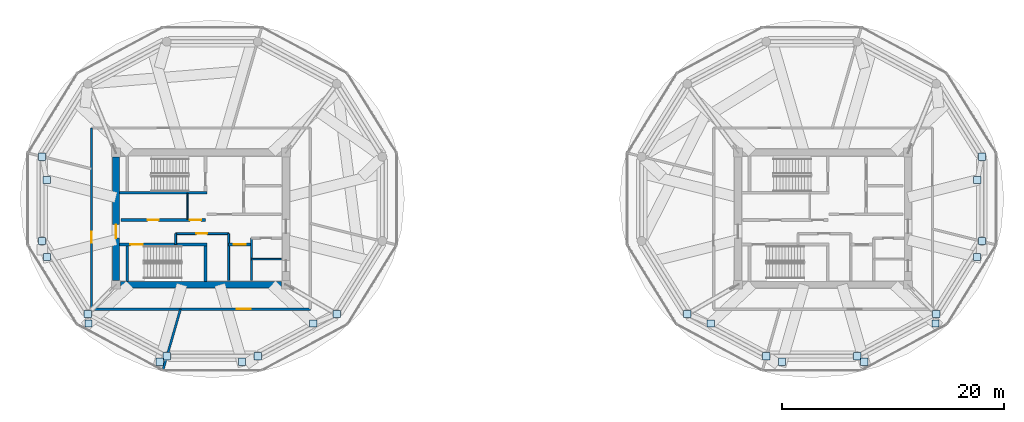
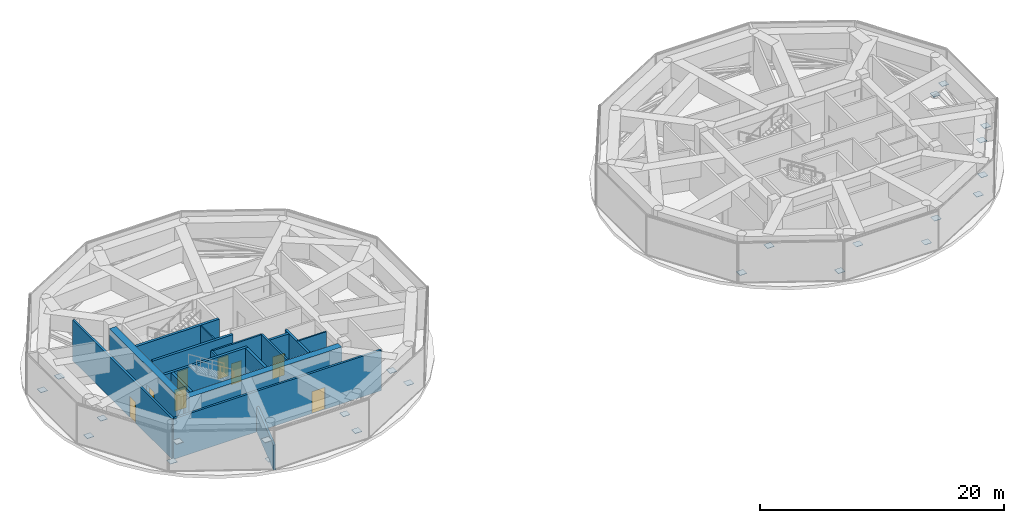
# One storey, part 13 of 20: 24 plates, 17 walls, 8 doors, 8 openings.
"""IFC4 building model written with IfcOpenShell, lengths in metres."""

from ifc_helpers import new_model, si_unit, direction, frame, frame_2d, origin, origin_2d, place, context, subcontext, project, spatial, rectangle, extrude, source, transform, mapped, material, layer, layer_set, type_object, type_shapes, element, fill, save


model = new_model("IFC4")

# Units and contexts
model_context = context("Model", 3, precision=1e-05, world=origin(), true_north=direction((0.0, 1.0)))
body_context = subcontext(model_context, "Body", "Model", "MODEL_VIEW")
ifc_project = project(units=[si_unit("LENGTHUNIT", "METRE"), si_unit("AREAUNIT", "SQUARE_METRE"), si_unit("VOLUMEUNIT", "CUBIC_METRE"), si_unit("PLANEANGLEUNIT", "RADIAN"), si_unit("MASSUNIT", "GRAM", prefix="KILO")], contexts=[model_context])

# Site, building, storey
site_placement = place(None, origin())
site = spatial("IfcSite", under=ifc_project, at=site_placement, CompositionType="ELEMENT")
building_placement = place(site_placement, origin())
building = spatial("IfcBuilding", under=site, at=building_placement, Name="Norrkilde Senior Care Towers", CompositionType="ELEMENT")
storey_placement = place(building_placement, frame((0.0, 0.0, 186.14990234375)))
storey = spatial("IfcBuildingStorey", under=building, at=storey_placement, Name="L58", CompositionType="ELEMENT", Elevation=186.14990234375)

# Plates
ifc_material_1 = material(Name="Steel S355", Category="steel")
ifc_layer_1 = layer(ifc_material_1, 0.034912109375)
ifc_layer_set_1 = layer_set([ifc_layer_1], Name="Steel S355")
plate_type = type_object("IfcPlateType", Name="Truss Node Gusset Plate 35", PredefinedType="USERDEFINED", material=ifc_layer_set_1)
shared_shape_1 = source(origin(), body_context, "Body", "SweptSolid", [
    extrude(rectangle(XDim=0.64990234375, YDim=0.64990234375, at=origin_2d()), origin(), (0.0, 0.0, 1.0), 0.034912109375),
])
type_shapes(plate_type, [shared_shape_1])
for number, where, z_axis, x_axis, name in (
    (1, (-42.284912109375, 5.567138671875, 0.1328125), (0.0, 0.0, 1.0), (1.0, 0.0, 0.0), "L58 Drum W Zone Strut 06 Lower Gusset Plate"),
    (2, (-41.87744140625, 3.46630859375, 2.61279296875), (0.0, 0.0, 1.0), (1.0, 0.0, 0.0), "L58 Drum W Zone Strut 06 Upper Gusset Plate"),
    (3, (-42.284912109375, -2.016357421875, 0.1328125), (0.0, 0.0, 1.0), (1.0, 0.0, 0.0), "L58 Drum W Zone Strut 07 Lower Gusset Plate"),
    (4, (-41.83984375, -3.45703125, 2.61279296875), (0.0, 0.0, 1.0), (1.0, 0.0, 0.0), "L58 Drum W Zone Strut 07 Upper Gusset Plate"),
    (5, (-38.1826171875, -8.583740234375, 0.1328125), (0.0, 0.0, 1.0), (1.0, 0.0, 0.0), "L58 Drum W Zone Strut 08 Lower Gusset Plate"),
    (6, (-38.12255859375, -9.436279296875, 2.61279296875), (0.0, 0.0, 1.0), (1.0, 0.0, 0.0), "L58 Drum W Zone Strut 08 Upper Gusset Plate"),
    (7, (-31.077392578125, -12.37548828125, 0.1328125), (0.0, 0.0, 1.0), (1.0, 0.0, 0.0), "L58 Drum W Zone Strut 09 Lower Gusset Plate"),
    (8, (-31.70166015625, -12.8779296875, 2.61279296875), (0.0, 0.0, 1.0), (1.0, 0.0, 0.0), "L58 Drum W Zone Strut 09 Upper Gusset Plate"),
    (9, (-22.872802734375, -12.37548828125, 0.1328125), (0.0, 0.0, 1.0), (1.0, 0.0, 0.0), "L58 Drum W Zone Strut 10 Lower Gusset Plate"),
    (10, (-24.29833984375, -12.8779296875, 2.61279296875), (0.0, 0.0, 1.0), (1.0, 0.0, 0.0), "L58 Drum W Zone Strut 10 Upper Gusset Plate"),
    (11, (-15.767333984375, -8.583740234375, 0.1328125), (0.0, 0.0, 1.0), (1.0, 0.0, 0.0), "L58 Drum W Zone Strut 11 Lower Gusset Plate"),
    (12, (-17.87744140625, -9.436279296875, 2.61279296875), (0.0, 0.0, 1.0), (1.0, 0.0, 0.0), "L58 Drum W Zone Strut 11 Upper Gusset Plate"),
    (13, (42.284912109375, 5.567138671875, 0.1328125), (0.0, 0.0, 1.0), (1.0, 0.0, 0.0), "L58 Drum E Zone Strut 01 Lower Gusset Plate"),
    (14, (41.87744140625, 3.46630859375, 2.61279296875), (0.0, 0.0, 1.0), (1.0, 0.0, 0.0), "L58 Drum E Zone Strut 01 Upper Gusset Plate"),
    (15, (15.767333984375, -8.583740234375, 0.1328125), (0.0, 0.0, 1.0), (1.0, 0.0, 0.0), "L58 Drum E Zone Strut 08 Lower Gusset Plate"),
    (16, (17.87744140625, -9.436279296875, 2.61279296875), (0.0, 0.0, 1.0), (1.0, 0.0, 0.0), "L58 Drum E Zone Strut 08 Upper Gusset Plate"),
    (17, (22.872802734375, -12.37548828125, 0.1328125), (0.0, 0.0, 1.0), (1.0, 0.0, 0.0), "L58 Drum E Zone Strut 09 Lower Gusset Plate"),
    (18, (24.29833984375, -12.8779296875, 2.61279296875), (0.0, 0.0, 1.0), (1.0, 0.0, 0.0), "L58 Drum E Zone Strut 09 Upper Gusset Plate"),
    (19, (31.077392578125, -12.37548828125, 0.1328125), (0.0, 0.0, 1.0), (1.0, 0.0, 0.0), "L58 Drum E Zone Strut 10 Lower Gusset Plate"),
    (20, (31.70166015625, -12.8779296875, 2.61279296875), (0.0, 0.0, 1.0), (1.0, 0.0, 0.0), "L58 Drum E Zone Strut 10 Upper Gusset Plate"),
    (21, (38.1826171875, -8.583740234375, 0.1328125), (0.0, 0.0, 1.0), (1.0, 0.0, 0.0), "L58 Drum E Zone Strut 11 Lower Gusset Plate"),
    (22, (38.12255859375, -9.436279296875, 2.61279296875), (0.0, 0.0, 1.0), (1.0, 0.0, 0.0), "L58 Drum E Zone Strut 11 Upper Gusset Plate"),
    (23, (42.284912109375, -2.016357421875, 0.1328125), (0.0, 0.0, 1.0), (1.0, 0.0, 0.0), "L58 Drum E Zone Strut 12 Lower Gusset Plate"),
    (24, (41.83984375, -3.45703125, 2.61279296875), (0.0, 0.0, 1.0), (1.0, 0.0, 0.0), "L58 Drum E Zone Strut 12 Upper Gusset Plate"),
):
    element("IfcPlate", number, at=place(storey_placement, frame(where, z_axis=z_axis, x_axis=x_axis)), inside=storey, type_object=plate_type, Name=name, ObjectType="GUSSET_PLATE", PredefinedType="USERDEFINED", context=body_context, shape_type="MappedRepresentation", body=[
        mapped(shared_shape_1, transform((0.0, 0.0, 0.0), x_axis=(1.0, 0.0, 0.0), y_axis=(0.0, 1.0, 0.0), z_axis=(0.0, 0.0, 1.0), scale=1.0)),
    ])

# Wall
ifc_material_2 = material(Name="Concrete C50/60", Category="concrete")
ifc_layer_2 = layer(ifc_material_2, 0.6201171875)
ifc_layer_set_2 = layer_set([ifc_layer_2], Name="Concrete C50/60")
wall_type_1 = type_object("IfcWallType", Name="Core Shear Wall Z3 620", PredefinedType="SHEAR", material=ifc_layer_set_2)
shared_shape_2 = source(origin(), body_context, "Body", "SweptSolid", [
    extrude(rectangle(XDim=14.5, YDim=0.6201171875, at=frame_2d((7.25, 0.0))), origin(), (0.0, 0.0, 1.0), 4.080078125),
])
wall_1_placement = place(storey_placement, frame((-20.75, -5.949951171875, 0.0), z_axis=(0.0, 0.0, 1.0), x_axis=(-1.0, 0.0, 0.0)))
element("IfcWall", 25, at=wall_1_placement, inside=storey, type_object=wall_type_1, Name="L58 Core W South Shear Wall", PredefinedType="SHEAR", context=body_context, shape_type="MappedRepresentation", body=[
    mapped(shared_shape_2, transform((0.0, 0.0, 0.0), x_axis=(1.0, 0.0, 0.0), y_axis=(0.0, 1.0, 0.0), z_axis=(0.0, 0.0, 1.0), scale=1.0)),
])

# Wall, opening, door
shared_shape_3 = source(origin(), body_context, "Body", "SweptSolid", [
    extrude(rectangle(XDim=11.10009765625, YDim=0.6201171875, at=frame_2d((5.550048828125, 0.0))), origin(), (0.0, 0.0, 1.0), 4.080078125),
])
type_shapes(wall_type_1, [shared_shape_2, shared_shape_3])
wall_2_placement = place(storey_placement, frame((-35.64990234375, -5.550048828125, 0.0), z_axis=(0.0, 0.0, 1.0), x_axis=(0.0, 1.0, 0.0)))
wall_2 = element("IfcWall", 26, at=wall_2_placement, inside=storey, type_object=wall_type_1, Name="L58 Core W West Shear Wall", PredefinedType="SHEAR", context=body_context, shape_type="MappedRepresentation", body=[
    mapped(shared_shape_3, transform((0.0, 0.0, 0.0), x_axis=(1.0, 0.0, 0.0), y_axis=(0.0, 1.0, 0.0), z_axis=(0.0, 0.0, 1.0), scale=1.0)),
])
opening_1_placement = place(wall_2_placement, frame((3.800048828125, 0.0, 0.0)))
opening_1 = element("IfcOpeningElement", 27, at=opening_1_placement, cuts=wall_2, Name="Opening D-04", PredefinedType="OPENING", context=body_context, shape_type="SweptSolid", body=[
    extrude(rectangle(XDim=1.199951171875, YDim=2.14990234375, at=frame_2d((0.60009765625, 1.074951171875))), frame((0.0, 0.320068359375, 0.0), z_axis=(0.0, -1.0, 0.0), x_axis=(1.0, 0.0, 0.0)), (0.0, 0.0, 1.0), 0.64013671875),
])
ifc_material_3 = material(Name="Galvanised Painted Steel", Category="steel")
door_type_1 = type_object("IfcDoorType", Name="Firefighting Lobby Fire Door 1200x2150", OperationType="NOTDEFINED", PredefinedType="DOOR", material=ifc_material_3)
shared_shape_4 = source(origin(), body_context, "Body", "SweptSolid", [
    extrude(rectangle(XDim=1.199951171875, YDim=2.14990234375, at=frame_2d((0.60009765625, 1.074951171875))), frame((0.0, 0.02490234375, 0.0), z_axis=(0.0, -1.0, 0.0), x_axis=(1.0, 0.0, 0.0)), (0.0, 0.0, 1.0), 0.050048828125),
])
type_shapes(door_type_1, [shared_shape_4])
door_1_placement = place(opening_1_placement, frame((1.199951171875, 0.0, 0.0), z_axis=(0.0, 0.0, 1.0), x_axis=(-1.0, 0.0, 0.0)))
door_1 = element("IfcDoor", 28, at=door_1_placement, inside=storey, type_object=door_type_1, Name="L58 Core W West Portal Door", OperationType="SINGLE_SWING_LEFT", OverallHeight=2.14990234375, OverallWidth=1.199951171875, PredefinedType="DOOR", context=body_context, shape_type="MappedRepresentation", body=[
    mapped(shared_shape_4, transform((0.0, 0.0, 0.0), x_axis=(1.0, 0.0, 0.0), y_axis=(0.0, 1.0, 0.0), z_axis=(0.0, 0.0, 1.0), scale=1.0)),
])
fill(opening_1, door_1)

# Wall
ifc_material_4 = material(Name="Concrete C45/55", Category="concrete")
ifc_layer_3 = layer(ifc_material_4, 0.239990234375)
ifc_layer_set_3 = layer_set([ifc_layer_3], Name="Concrete C45/55")
wall_type_2 = type_object("IfcWallType", Name="Shaft and Stair Enclosure Wall 240", PredefinedType="PARTITIONING", material=ifc_layer_set_3)
shared_shape_5 = source(origin(), body_context, "Body", "SweptSolid", [
    extrude(rectangle(XDim=7.880126953125, YDim=0.239990234375, at=frame_2d((3.93994140625, 0.0))), origin(), (0.0, 0.0, 1.0), 4.080078125),
])
wall_3_placement = place(storey_placement, frame((-35.340087890625, 2.330078125, 0.0), z_axis=(0.0, 0.0, 1.0), x_axis=(1.0, 0.0, 0.0)))
element("IfcWall", 29, at=wall_3_placement, inside=storey, type_object=wall_type_2, Name="WL-INT-L58-W-ST1S", PredefinedType="PARTITIONING", context=body_context, shape_type="MappedRepresentation", body=[
    mapped(shared_shape_5, transform((0.0, 0.0, 0.0), x_axis=(1.0, 0.0, 0.0), y_axis=(0.0, 1.0, 0.0), z_axis=(0.0, 0.0, 1.0), scale=1.0)),
])

# Wall, opening, door
wall_4_placement = place(storey_placement, frame((-35.340087890625, -2.330078125, 0.0), z_axis=(0.0, 0.0, 1.0), x_axis=(1.0, 0.0, 0.0)))
wall_4 = element("IfcWall", 30, at=wall_4_placement, inside=storey, type_object=wall_type_2, Name="WL-INT-L58-W-ST2N", PredefinedType="PARTITIONING", context=body_context, shape_type="MappedRepresentation", body=[
    mapped(shared_shape_5, transform((0.0, 0.0, 0.0), x_axis=(1.0, 0.0, 0.0), y_axis=(0.0, 1.0, 0.0), z_axis=(0.0, 0.0, 1.0), scale=1.0)),
])
opening_2_placement = place(wall_4_placement, frame((1.0, 0.0, 0.0)))
opening_2 = element("IfcOpeningElement", 31, at=opening_2_placement, cuts=wall_4, Name="Opening D-03", PredefinedType="OPENING", context=body_context, shape_type="SweptSolid", body=[
    extrude(rectangle(XDim=1.10009765625, YDim=2.14990234375, at=frame_2d((0.550048828125, 1.074951171875))), frame((0.0, 0.1298828125, 0.0), z_axis=(0.0, -1.0, 0.0), x_axis=(1.0, 0.0, 0.0)), (0.0, 0.0, 1.0), 0.260009765625),
])
door_type_2 = type_object("IfcDoorType", Name="Stairwell Protected Fire Door 1100x2150", OperationType="NOTDEFINED", PredefinedType="DOOR", material=ifc_material_3)
shared_shape_6 = source(origin(), body_context, "Body", "SweptSolid", [
    extrude(rectangle(XDim=1.10009765625, YDim=2.14990234375, at=frame_2d((0.550048828125, 1.074951171875))), frame((0.0, 0.02490234375, 0.0), z_axis=(0.0, -1.0, 0.0), x_axis=(1.0, 0.0, 0.0)), (0.0, 0.0, 1.0), 0.050048828125),
])
type_shapes(door_type_2, [shared_shape_6])
door_2_placement = place(opening_2_placement, frame((1.10009765625, 0.0, 0.0), z_axis=(0.0, 0.0, 1.0), x_axis=(-1.0, 0.0, 0.0)))
door_2 = element("IfcDoor", 32, at=door_2_placement, inside=storey, type_object=door_type_2, Name="L58 Stair W2 Fire Door", OperationType="SINGLE_SWING_RIGHT", OverallHeight=2.14990234375, OverallWidth=1.10009765625, PredefinedType="DOOR", context=body_context, shape_type="MappedRepresentation", body=[
    mapped(shared_shape_6, transform((0.0, 0.0, 0.0), x_axis=(1.0, 0.0, 0.0), y_axis=(0.0, 1.0, 0.0), z_axis=(0.0, 0.0, 1.0), scale=1.0)),
])
fill(opening_2, door_2)

# Walls
shared_shape_7 = source(origin(), body_context, "Body", "SweptSolid", [
    extrude(rectangle(XDim=3.18994140625, YDim=0.239990234375, at=frame_2d((1.594970703125, 0.0))), origin(), (0.0, 0.0, 1.0), 4.080078125),
])
type_shapes(wall_type_2, [shared_shape_5, shared_shape_7])
for number, where, z_axis, x_axis, name in (
    (33, (-34.6201171875, -5.639892578125, 0.0), (0.0, 0.0, 1.0), (0.0, 1.0, 0.0), "WL-INT-L58-W-ST2W"),
    (34, (-27.580078125, -5.639892578125, 0.0), (0.0, 0.0, 1.0), (0.0, 1.0, 0.0), "WL-INT-L58-W-ST2E"),
):
    element("IfcWall", number, at=place(storey_placement, frame(where, z_axis=z_axis, x_axis=x_axis)), inside=storey, type_object=wall_type_2, Name=name, PredefinedType="PARTITIONING", context=body_context, shape_type="MappedRepresentation", body=[
        mapped(shared_shape_7, transform((0.0, 0.0, 0.0), x_axis=(1.0, 0.0, 0.0), y_axis=(0.0, 1.0, 0.0), z_axis=(0.0, 0.0, 1.0), scale=1.0)),
    ])

# Wall, openings, doors
ifc_layer_4 = layer(ifc_material_4, 0.239990234375)
ifc_layer_set_4 = layer_set([ifc_layer_4], Name="Concrete C45/55")
wall_type_3 = type_object("IfcWallType", Name="Lift and Plant Rated Enclosure Partition 240", PredefinedType="PARTITIONING", material=ifc_layer_set_4)
shared_shape_8 = source(origin(), body_context, "Body", "SweptSolid", [
    extrude(rectangle(XDim=7.619873046875, YDim=0.239990234375, at=frame_2d((3.81005859375, 0.0))), origin(), (0.0, 0.0, 1.0), 4.065185546875),
])
wall_5_placement = place(storey_placement, frame((-35.199951171875, -0.1298828125, 0.0), z_axis=(0.0, 0.0, 1.0), x_axis=(1.0, 0.0, 0.0)))
wall_5 = element("IfcWall", 35, at=wall_5_placement, inside=storey, type_object=wall_type_3, Name="WL-INT-L58-W-PKAS", PredefinedType="PARTITIONING", context=body_context, shape_type="MappedRepresentation", body=[
    mapped(shared_shape_8, transform((0.0, 0.0, 0.0), x_axis=(1.0, 0.0, 0.0), y_axis=(0.0, 1.0, 0.0), z_axis=(0.0, 0.0, 1.0), scale=1.0)),
])
opening_3_placement = place(wall_5_placement, frame((6.219970703125, 0.0, 0.0)))
opening_3 = element("IfcOpeningElement", 36, at=opening_3_placement, cuts=wall_5, Name="Opening D-10", PredefinedType="OPENING", context=body_context, shape_type="SweptSolid", body=[
    extrude(rectangle(XDim=1.0, YDim=2.10009765625, at=frame_2d((0.5, 1.050048828125))), frame((0.0, 0.1298828125, 0.0), z_axis=(0.0, -1.0, 0.0), x_axis=(1.0, 0.0, 0.0)), (0.0, 0.0, 1.0), 0.260009765625),
])
opening_4_placement = place(wall_5_placement, frame((2.39990234375, 0.0, 0.0)))
opening_4 = element("IfcOpeningElement", 37, at=opening_4_placement, cuts=wall_5, Name="Opening D-10", PredefinedType="OPENING", context=body_context, shape_type="SweptSolid", body=[
    extrude(rectangle(XDim=1.0, YDim=2.10009765625, at=frame_2d((0.5, 1.050048828125))), frame((0.0, 0.1298828125, 0.0), z_axis=(0.0, -1.0, 0.0), x_axis=(1.0, 0.0, 0.0)), (0.0, 0.0, 1.0), 0.260009765625),
])
door_type_3 = type_object("IfcDoorType", Name="Plant and Riser Rated Door 1000x2100", OperationType="NOTDEFINED", PredefinedType="DOOR", material=ifc_material_3)
shared_shape_9 = source(origin(), body_context, "Body", "SweptSolid", [
    extrude(rectangle(XDim=1.0, YDim=2.10009765625, at=frame_2d((0.5, 1.050048828125))), frame((0.0, 0.02490234375, 0.0), z_axis=(0.0, -1.0, 0.0), x_axis=(1.0, 0.0, 0.0)), (0.0, 0.0, 1.0), 0.050048828125),
])
type_shapes(door_type_3, [shared_shape_9])
door_3_placement = place(opening_3_placement, frame((1.0, 0.0, 0.0), z_axis=(0.0, 0.0, 1.0), x_axis=(-1.0, 0.0, 0.0)))
door_3 = element("IfcDoor", 38, at=door_3_placement, inside=storey, type_object=door_type_3, Name="L58 Electrical Riser W Door", OperationType="SINGLE_SWING_LEFT", OverallHeight=2.10009765625, OverallWidth=1.0, PredefinedType="DOOR", context=body_context, shape_type="MappedRepresentation", body=[
    mapped(shared_shape_9, transform((0.0, 0.0, 0.0), x_axis=(1.0, 0.0, 0.0), y_axis=(0.0, 1.0, 0.0), z_axis=(0.0, 0.0, 1.0), scale=1.0)),
])
fill(opening_3, door_3)
door_4_placement = place(opening_4_placement, frame((1.0, 0.0, 0.0), z_axis=(0.0, 0.0, 1.0), x_axis=(-1.0, 0.0, 0.0)))
door_4 = element("IfcDoor", 39, at=door_4_placement, inside=storey, type_object=door_type_3, Name="L58 Clean Supply Store W Door", OperationType="SINGLE_SWING_LEFT", OverallHeight=2.10009765625, OverallWidth=1.0, PredefinedType="DOOR", context=body_context, shape_type="MappedRepresentation", body=[
    mapped(shared_shape_9, transform((0.0, 0.0, 0.0), x_axis=(1.0, 0.0, 0.0), y_axis=(0.0, 1.0, 0.0), z_axis=(0.0, 0.0, 1.0), scale=1.0)),
])
fill(opening_4, door_4)

# Walls
ifc_material_5 = material(Name="Gypsum Acoustic Board")
ifc_layer_5 = layer(ifc_material_5, 0.114990234375)
ifc_layer_set_5 = layer_set([ifc_layer_5], Name="Gypsum Acoustic Board")
wall_type_4 = type_object("IfcWallType", Name="Internal Room Partition 115", PredefinedType="PARTITIONING", material=ifc_layer_set_5)
shared_shape_10 = source(origin(), body_context, "Body", "SweptSolid", [
    extrude(rectangle(XDim=2.330078125, YDim=0.114990234375, at=frame_2d((1.1650390625, 0.0))), origin(), (0.0, 0.0, 1.0), 4.065185546875),
])
type_shapes(wall_type_4, [shared_shape_10])
wall_6_placement = place(storey_placement, frame((-29.2099609375, -0.050048828125, 0.0), z_axis=(0.0, 0.0, 1.0), x_axis=(0.0, 1.0, 0.0)))
element("IfcWall", 40, at=wall_6_placement, inside=storey, type_object=wall_type_4, Name="WL-INT-L58-W-RISW", PredefinedType="PARTITIONING", context=body_context, shape_type="MappedRepresentation", body=[
    mapped(shared_shape_10, transform((0.0, 0.0, 0.0), x_axis=(1.0, 0.0, 0.0), y_axis=(0.0, 1.0, 0.0), z_axis=(0.0, 0.0, 1.0), scale=1.0)),
])
ifc_layer_6 = layer(ifc_material_4, 0.199951171875)
ifc_layer_set_6 = layer_set([ifc_layer_6], Name="Concrete C45/55")
wall_type_5 = type_object("IfcWallType", Name="Shaft Division and Plant Partition 200", PredefinedType="PARTITIONING", material=ifc_layer_set_6)
shared_shape_11 = source(origin(), body_context, "Body", "SweptSolid", [
    extrude(rectangle(XDim=3.800048828125, YDim=0.199951171875, at=frame_2d((1.89990234375, 0.0))), origin(), (0.0, 0.0, 1.0), 4.065185546875),
])
wall_7_placement = place(storey_placement, frame((-23.449951171875, -5.550048828125, 0.0), z_axis=(0.0, 0.0, 1.0), x_axis=(0.0, 1.0, 0.0)))
element("IfcWall", 41, at=wall_7_placement, inside=storey, type_object=wall_type_5, Name="WL-INT-L58-W-PKBE", PredefinedType="PARTITIONING", context=body_context, shape_type="MappedRepresentation", body=[
    mapped(shared_shape_11, transform((0.0, 0.0, 0.0), x_axis=(1.0, 0.0, 0.0), y_axis=(0.0, 1.0, 0.0), z_axis=(0.0, 0.0, 1.0), scale=1.0)),
])

# Wall, opening, door
shared_shape_12 = source(origin(), body_context, "Body", "SweptSolid", [
    extrude(rectangle(XDim=2.050048828125, YDim=0.239990234375, at=frame_2d((1.02490234375, 0.0))), origin(), (0.0, 0.0, 1.0), 4.065185546875),
])
type_shapes(wall_type_3, [shared_shape_8, shared_shape_12])
wall_8_placement = place(storey_placement, frame((-25.5, -2.330078125, 0.0), z_axis=(0.0, 0.0, 1.0), x_axis=(1.0, 0.0, 0.0)))
wall_8 = element("IfcWall", 42, at=wall_8_placement, inside=storey, type_object=wall_type_3, Name="WL-INT-L58-W-PL4N", PredefinedType="PARTITIONING", context=body_context, shape_type="MappedRepresentation", body=[
    mapped(shared_shape_12, transform((0.0, 0.0, 0.0), x_axis=(1.0, 0.0, 0.0), y_axis=(0.0, 1.0, 0.0), z_axis=(0.0, 0.0, 1.0), scale=1.0)),
])
opening_5_placement = place(wall_8_placement, frame((0.449951171875, 0.0, 0.0)))
opening_5 = element("IfcOpeningElement", 43, at=opening_5_placement, cuts=wall_8, Name="Opening LD-01", PredefinedType="OPENING", context=body_context, shape_type="SweptSolid", body=[
    extrude(rectangle(XDim=1.10009765625, YDim=2.199951171875, at=frame_2d((0.550048828125, 1.10009765625))), frame((0.0, 0.1298828125, 0.0), z_axis=(0.0, -1.0, 0.0), x_axis=(1.0, 0.0, 0.0)), (0.0, 0.0, 1.0), 0.260009765625),
])
ifc_material_6 = material(Name="Stainless Steel", Category="steel")
door_type_4 = type_object("IfcDoorType", Name="Lift Landing Sliding Door 1100x2200", OperationType="NOTDEFINED", PredefinedType="DOOR", material=ifc_material_6)
shared_shape_13 = source(origin(), body_context, "Body", "SweptSolid", [
    extrude(rectangle(XDim=1.10009765625, YDim=2.199951171875, at=frame_2d((0.550048828125, 1.10009765625))), frame((0.0, 0.02490234375, 0.0), z_axis=(0.0, -1.0, 0.0), x_axis=(1.0, 0.0, 0.0)), (0.0, 0.0, 1.0), 0.050048828125),
])
type_shapes(door_type_4, [shared_shape_13])
door_5_placement = place(opening_5_placement, frame((1.10009765625, 0.0, 0.0), z_axis=(0.0, 0.0, 1.0), x_axis=(-1.0, 0.0, 0.0)))
door_5 = element("IfcDoor", 44, at=door_5_placement, inside=storey, type_object=door_type_4, Name="L58 Passenger Lift W4 Landing Door", OperationType="SLIDING_TO_RIGHT", OverallHeight=2.199951171875, OverallWidth=1.10009765625, PredefinedType="DOOR", context=body_context, shape_type="MappedRepresentation", body=[
    mapped(shared_shape_13, transform((0.0, 0.0, 0.0), x_axis=(1.0, 0.0, 0.0), y_axis=(0.0, 1.0, 0.0), z_axis=(0.0, 0.0, 1.0), scale=1.0)),
])
fill(opening_5, door_5)

# Wall
ifc_layer_7 = layer(ifc_material_4, 0.179931640625)
ifc_layer_set_7 = layer_set([ifc_layer_7], Name="Concrete C45/55")
wall_type_6 = type_object("IfcWallType", Name="Hoistway Division Rated Partition 180", PredefinedType="PARTITIONING", material=ifc_layer_set_7)
shared_shape_14 = source(origin(), body_context, "Body", "SweptSolid", [
    extrude(rectangle(XDim=4.199951171875, YDim=0.179931640625, at=frame_2d((2.10009765625, 0.0))), origin(), (0.0, 0.0, 1.0), 4.065185546875),
])
type_shapes(wall_type_6, [shared_shape_14])
wall_9_placement = place(storey_placement, frame((-25.5, -5.550048828125, 0.0), z_axis=(0.0, 0.0, 1.0), x_axis=(0.0, 1.0, 0.0)))
element("IfcWall", 45, at=wall_9_placement, inside=storey, type_object=wall_type_6, Name="WL-INT-L58-W-PL4W", PredefinedType="PARTITIONING", context=body_context, shape_type="MappedRepresentation", body=[
    mapped(shared_shape_14, transform((0.0, 0.0, 0.0), x_axis=(1.0, 0.0, 0.0), y_axis=(0.0, 1.0, 0.0), z_axis=(0.0, 0.0, 1.0), scale=1.0)),
])

# Wall, opening, door
ifc_layer_8 = layer(ifc_material_5, 0.1650390625)
ifc_layer_set_8 = layer_set([ifc_layer_8], Name="Gypsum Acoustic Board")
wall_type_7 = type_object("IfcWallType", Name="Corridor Rated Partition 165", PredefinedType="PARTITIONING", material=ifc_layer_set_8)
shared_shape_15 = source(origin(), body_context, "Body", "SweptSolid", [
    extrude(rectangle(XDim=4.77001953125, YDim=0.1650390625, at=frame_2d((2.385009765625, 0.0))), origin(), (0.0, 0.0, 1.0), 4.065185546875),
])
wall_10_placement = place(storey_placement, frame((-30.27001953125, -1.35009765625, 0.0), z_axis=(0.0, 0.0, 1.0), x_axis=(1.0, 0.0, 0.0)))
wall_10 = element("IfcWall", 46, at=wall_10_placement, inside=storey, type_object=wall_type_7, Name="WL-INT-L58-W-FR2N", PredefinedType="PARTITIONING", context=body_context, shape_type="MappedRepresentation", body=[
    mapped(shared_shape_15, transform((0.0, 0.0, 0.0), x_axis=(1.0, 0.0, 0.0), y_axis=(0.0, 1.0, 0.0), z_axis=(0.0, 0.0, 1.0), scale=1.0)),
])
opening_6_placement = place(wall_10_placement, frame((1.85009765625, 0.0, 0.0)))
opening_6 = element("IfcOpeningElement", 47, at=opening_6_placement, cuts=wall_10, Name="Opening D-10", PredefinedType="OPENING", context=body_context, shape_type="SweptSolid", body=[
    extrude(rectangle(XDim=1.0, YDim=2.10009765625, at=frame_2d((0.5, 1.050048828125))), frame((0.0, 0.092529296875, 0.0), z_axis=(0.0, -1.0, 0.0), x_axis=(1.0, 0.0, 0.0)), (0.0, 0.0, 1.0), 0.18505859375),
])
door_6_placement = place(opening_6_placement, origin())
door_6 = element("IfcDoor", 48, at=door_6_placement, inside=storey, type_object=door_type_3, Name="L58 Core Pantry W Door", OperationType="SINGLE_SWING_RIGHT", OverallHeight=2.10009765625, OverallWidth=1.0, PredefinedType="DOOR", context=body_context, shape_type="MappedRepresentation", body=[
    mapped(shared_shape_9, transform((0.0, 0.0, 0.0), x_axis=(1.0, 0.0, 0.0), y_axis=(0.0, 1.0, 0.0), z_axis=(0.0, 0.0, 1.0), scale=1.0)),
])
fill(opening_6, door_6)

# Walls
shared_shape_16 = source(origin(), body_context, "Body", "SweptSolid", [
    extrude(rectangle(XDim=0.97998046875, YDim=0.1650390625, at=frame_2d((0.489990234375, 0.0))), origin(), (0.0, 0.0, 1.0), 4.065185546875),
])
type_shapes(wall_type_7, [shared_shape_15, shared_shape_16])
wall_11_placement = place(storey_placement, frame((-30.27001953125, -2.330078125, 0.0), z_axis=(0.0, 0.0, 1.0), x_axis=(0.0, 1.0, 0.0)))
element("IfcWall", 49, at=wall_11_placement, inside=storey, type_object=wall_type_7, Name="WL-INT-L58-W-FR2W", PredefinedType="PARTITIONING", context=body_context, shape_type="MappedRepresentation", body=[
    mapped(shared_shape_16, transform((0.0, 0.0, 0.0), x_axis=(1.0, 0.0, 0.0), y_axis=(0.0, 1.0, 0.0), z_axis=(0.0, 0.0, 1.0), scale=1.0)),
])
ifc_layer_9 = layer(ifc_material_5, 0.139892578125)
ifc_layer_set_9 = layer_set([ifc_layer_9], Name="Gypsum Acoustic Board")
wall_type_8 = type_object("IfcWallType", Name="En-suite Wet Room Wall 140", PredefinedType="PARTITIONING", material=ifc_layer_set_9)
shared_shape_17 = source(origin(), body_context, "Body", "SweptSolid", [
    extrude(rectangle(XDim=2.699951171875, YDim=0.139892578125, at=frame_2d((1.35009765625, 0.0))), origin(), (0.0, 0.0, 1.0), 4.065185546875),
])
type_shapes(wall_type_8, [shared_shape_17])
wall_12_placement = place(storey_placement, frame((-23.449951171875, -3.64990234375, 0.0), z_axis=(0.0, 0.0, 1.0), x_axis=(1.0, 0.0, 0.0)))
element("IfcWall", 50, at=wall_12_placement, inside=storey, type_object=wall_type_8, Name="WL-INT-L58-W-CS2H", PredefinedType="PARTITIONING", context=body_context, shape_type="MappedRepresentation", body=[
    mapped(shared_shape_17, transform((0.0, 0.0, 0.0), x_axis=(1.0, 0.0, 0.0), y_axis=(0.0, 1.0, 0.0), z_axis=(0.0, 0.0, 1.0), scale=1.0)),
])

# Wall, opening, door
shared_shape_18 = source(origin(), body_context, "Body", "SweptSolid", [
    extrude(rectangle(XDim=19.7001953125, YDim=0.199951171875, at=frame_2d((9.85009765625, 0.0))), origin(), (0.0, 0.0, 1.0), 4.065185546875),
])
wall_13_placement = place(storey_placement, frame((-18.14990234375, -8.14990234375, 0.0), z_axis=(0.0, 0.0, 1.0), x_axis=(-1.0, 0.0, 0.0)))
wall_13 = element("IfcWall", 51, at=wall_13_placement, inside=storey, type_object=wall_type_5, Name="WL-INT-L58-W-PCR-S", PredefinedType="PARTITIONING", context=body_context, shape_type="MappedRepresentation", body=[
    mapped(shared_shape_18, transform((0.0, 0.0, 0.0), x_axis=(1.0, 0.0, 0.0), y_axis=(0.0, 1.0, 0.0), z_axis=(0.0, 0.0, 1.0), scale=1.0)),
])
opening_7_placement = place(wall_13_placement, frame((5.350341796875, 0.0, 0.0)))
opening_7 = element("IfcOpeningElement", 52, at=opening_7_placement, cuts=wall_13, Name="Opening D-05", PredefinedType="OPENING", context=body_context, shape_type="SweptSolid", body=[
    extrude(rectangle(XDim=1.25, YDim=2.199951171875, at=frame_2d((0.625, 1.10009765625))), frame((0.0, 0.10986328125, 0.0), z_axis=(0.0, -1.0, 0.0), x_axis=(1.0, 0.0, 0.0)), (0.0, 0.0, 1.0), 0.219970703125),
])
ifc_material_7 = material(Name="Nordic Ash Timber", Category="wood")
door_type_5 = type_object("IfcDoorType", Name="Care Bedroom Bariatric Door 1250x2200", OperationType="NOTDEFINED", PredefinedType="DOOR", material=ifc_material_7)
shared_shape_19 = source(origin(), body_context, "Body", "SweptSolid", [
    extrude(rectangle(XDim=1.25, YDim=2.199951171875, at=frame_2d((0.625, 1.10009765625))), frame((0.0, 0.02490234375, 0.0), z_axis=(0.0, -1.0, 0.0), x_axis=(1.0, 0.0, 0.0)), (0.0, 0.0, 1.0), 0.050048828125),
])
type_shapes(door_type_5, [shared_shape_19])
door_7_placement = place(opening_7_placement, frame((1.25, 0.0, 0.0), z_axis=(0.0, 0.0, 1.0), x_axis=(-1.0, 0.0, 0.0)))
door_7 = element("IfcDoor", 53, at=door_7_placement, inside=storey, type_object=door_type_5, Name="L58 Protected Emergency Refuge Area W Door", OperationType="SINGLE_SWING_LEFT", OverallHeight=2.199951171875, OverallWidth=1.25, PredefinedType="DOOR", context=body_context, shape_type="MappedRepresentation", body=[
    mapped(shared_shape_19, transform((0.0, 0.0, 0.0), x_axis=(1.0, 0.0, 0.0), y_axis=(0.0, 1.0, 0.0), z_axis=(0.0, 0.0, 1.0), scale=1.0)),
])
fill(opening_7, door_7)

shared_shape_20 = source(origin(), body_context, "Body", "SweptSolid", [
    extrude(rectangle(XDim=16.2998046875, YDim=0.199951171875, at=frame_2d((8.14990234375, 0.0))), origin(), (0.0, 0.0, 1.0), 4.065185546875),
])
wall_14_placement = place(storey_placement, frame((-37.85009765625, -8.14990234375, 0.0), z_axis=(0.0, 0.0, 1.0), x_axis=(0.0, 1.0, 0.0)))
wall_14 = element("IfcWall", 54, at=wall_14_placement, inside=storey, type_object=wall_type_5, Name="WL-INT-L58-W-PCR-W", PredefinedType="PARTITIONING", context=body_context, shape_type="MappedRepresentation", body=[
    mapped(shared_shape_20, transform((0.0, 0.0, 0.0), x_axis=(1.0, 0.0, 0.0), y_axis=(0.0, 1.0, 0.0), z_axis=(0.0, 0.0, 1.0), scale=1.0)),
])
opening_8_placement = place(wall_14_placement, frame((5.972412109375, 0.0, 0.0)))
opening_8 = element("IfcOpeningElement", 55, at=opening_8_placement, cuts=wall_14, Name="Opening D-10", PredefinedType="OPENING", context=body_context, shape_type="SweptSolid", body=[
    extrude(rectangle(XDim=1.0, YDim=2.10009765625, at=frame_2d((0.5, 1.050048828125))), frame((0.0, 0.10986328125, 0.0), z_axis=(0.0, -1.0, 0.0), x_axis=(1.0, 0.0, 0.0)), (0.0, 0.0, 1.0), 0.219970703125),
])
door_8_placement = place(opening_8_placement, frame((1.0, 0.0, 0.0), z_axis=(0.0, 0.0, 1.0), x_axis=(-1.0, 0.0, 0.0)))
door_8 = element("IfcDoor", 56, at=door_8_placement, inside=storey, type_object=door_type_3, Name="L58 HV Switchroom and Fire Booster Pump Plant Door", OperationType="SINGLE_SWING_RIGHT", OverallHeight=2.10009765625, OverallWidth=1.0, PredefinedType="DOOR", context=body_context, shape_type="MappedRepresentation", body=[
    mapped(shared_shape_9, transform((0.0, 0.0, 0.0), x_axis=(1.0, 0.0, 0.0), y_axis=(0.0, 1.0, 0.0), z_axis=(0.0, 0.0, 1.0), scale=1.0)),
])
fill(opening_8, door_8)

# Wall
shared_shape_21 = source(origin(), body_context, "Body", "SweptSolid", [
    extrude(rectangle(XDim=5.75439453125, YDim=0.199951171875, at=frame_2d((2.877197265625, 0.0))), origin(), (0.0, 0.0, 1.0), 2.51513671875),
])
type_shapes(wall_type_5, [shared_shape_11, shared_shape_18, shared_shape_20, shared_shape_21])
wall_15_placement = place(storey_placement, frame((-29.833984375, -8.14990234375, 0.0), z_axis=(0.0, 0.0, 1.0), x_axis=(-0.276793809121, -0.960929335192, 0.0)))
element("IfcWall", 57, at=wall_15_placement, inside=storey, type_object=wall_type_5, Name="WL-INT-L58-W-PRAD-0-0", PredefinedType="PARTITIONING", context=body_context, shape_type="MappedRepresentation", body=[
    mapped(shared_shape_21, transform((0.0, 0.0, 0.0), x_axis=(1.0, 0.0, 0.0), y_axis=(0.0, 1.0, 0.0), z_axis=(0.0, 0.0, 1.0), scale=1.0)),
])

save(model, "model.ifc")
